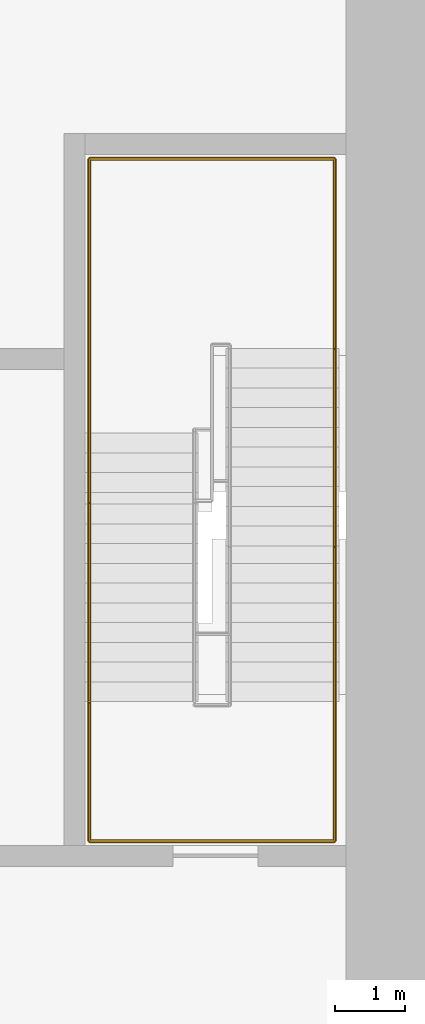
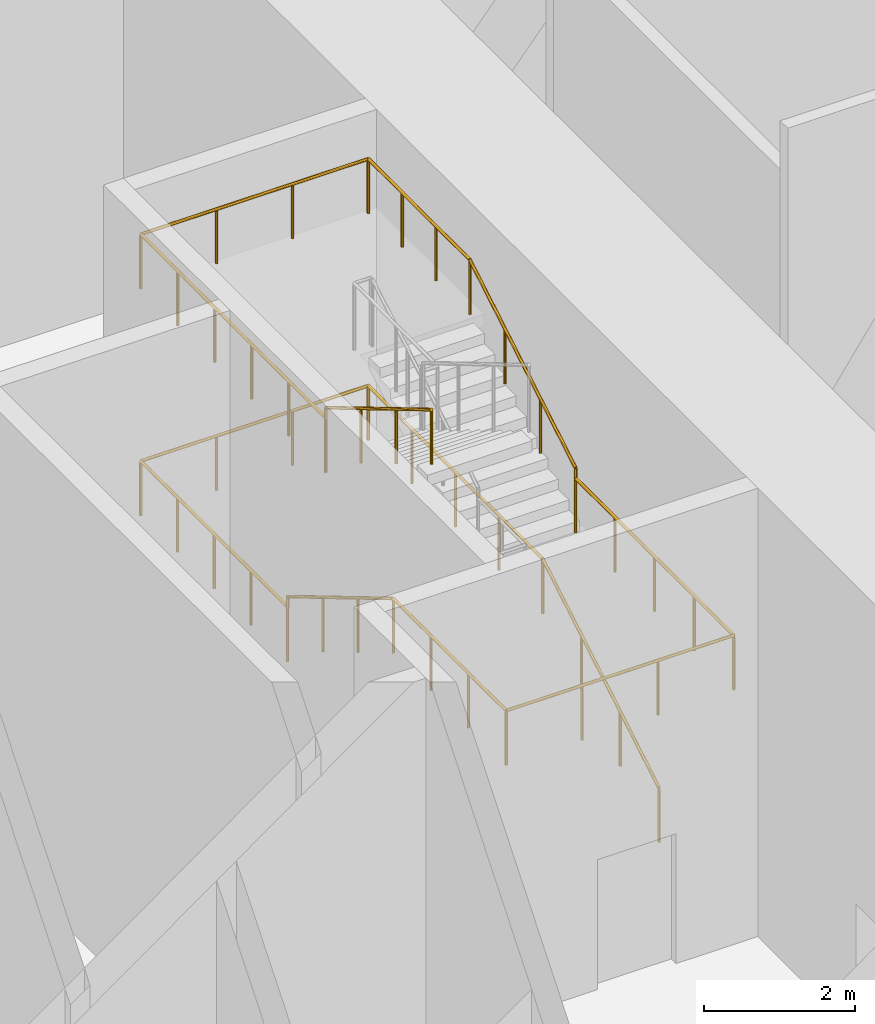
# One storey, part 20 of 20: 1 railing.
"""IFC4 building model written with IfcOpenShell, lengths in metres."""

from ifc_helpers import new_model, si_unit, direction, frame, origin, origin_2d, place, context, subcontext, project, spatial, circle, extrude, material, type_object, element, save


model = new_model("IFC4")

# Units and contexts
model_context = context("Model", 3, precision=1e-05, world=origin(), true_north=direction((0.0, 1.0)))
body_context = subcontext(model_context, "Body", "Model", "MODEL_VIEW")
ifc_project = project(units=[si_unit("LENGTHUNIT", "METRE"), si_unit("AREAUNIT", "SQUARE_METRE"), si_unit("VOLUMEUNIT", "CUBIC_METRE"), si_unit("PLANEANGLEUNIT", "RADIAN"), si_unit("MASSUNIT", "GRAM", prefix="KILO")], contexts=[model_context])

# Site, building, storey
site_placement = place(None, origin())
site = spatial("IfcSite", under=ifc_project, at=site_placement, CompositionType="ELEMENT")
building_placement = place(site_placement, origin())
building = spatial("IfcBuilding", under=site, at=building_placement, Name="Khuree Lantern Residences", CompositionType="ELEMENT")
storey_placement = place(building_placement, frame((0.0, 0.0, 99.75)))
storey = spatial("IfcBuildingStorey", under=building, at=storey_placement, Name="L25", CompositionType="ELEMENT", Elevation=99.75)

# Railing
ifc_material = material(Name="Steel S355", Category="steel")
railing_type = type_object("IfcRailingType", Name="STAIR HANDRAIL H1 900", PredefinedType="HANDRAIL", material=ifc_material)
railing_placement = place(storey_placement, frame((14.340087890625, -2.860107421875, 0.166748046875)))
element("IfcRailing", 1, at=railing_placement, inside=storey, type_object=railing_type, Name="Stair ST2 handrail", PredefinedType="HANDRAIL", context=body_context, shape_type="SweptSolid", body=[
    extrude(circle(Radius=0.02392578125, at=origin_2d()), frame((0.0, 0.0, 0.8759765625), z_axis=(0.0, 0.859308565015, 0.511457515432), x_axis=(-1.0, 0.0, 0.0)), (0.0, 0.0, 1.0), 3.58447265625),
    extrude(circle(Radius=0.02392578125, at=origin_2d()), frame((0.0, 3.080078125, 2.708984375), z_axis=(0.0, 1.0, 0.0), x_axis=(-1.0, 0.0, 0.0)), (0.0, 0.0, 1.0), 4.6201171875),
    extrude(circle(Radius=0.02392578125, at=origin_2d()), frame((0.0, 7.7001953125, 2.708984375), z_axis=(-1.0, 0.0, 0.0), x_axis=(0.0, -1.0, 0.0)), (0.0, 0.0, 1.0), 3.47998046875),
    extrude(circle(Radius=0.02392578125, at=origin_2d()), frame((-3.47998046875, 7.7001953125, 2.708984375), z_axis=(0.0, -1.0, 0.0), x_axis=(1.0, 0.0, 0.0)), (0.0, 0.0, 1.0), 3.89013671875),
    extrude(circle(Radius=0.02392578125, at=origin_2d()), frame((-3.47998046875, 3.81005859375, 2.708984375), z_axis=(0.0, 0.0, 1.0), x_axis=(1.0, 0.0, 0.0)), (0.0, 0.0, 1.0), 0.166748046875),
    extrude(circle(Radius=0.02392578125, at=origin_2d()), frame((-3.47998046875, 3.81005859375, 2.8759765625), z_axis=(0.0, -0.859318757487, 0.511440390497), x_axis=(1.0, 0.0, 0.0)), (0.0, 0.0, 1.0), 3.258544921875),
    extrude(circle(Radius=0.02392578125, at=origin_2d()), frame((-3.47998046875, 1.010009765625, 4.54248046875), z_axis=(0.0, -1.0, 0.0), x_axis=(1.0, 0.0, 0.0)), (0.0, 0.0, 1.0), 2.989990234375),
    extrude(circle(Radius=0.02392578125, at=origin_2d()), frame((-3.47998046875, -1.97998046875, 4.54248046875), z_axis=(1.0, 0.0, 0.0), x_axis=(0.0, 1.0, 0.0)), (0.0, 0.0, 1.0), 3.47998046875),
    extrude(circle(Radius=0.02392578125, at=origin_2d()), frame((0.0, -1.97998046875, 4.54248046875), z_axis=(0.0, 1.0, 0.0), x_axis=(-1.0, 0.0, 0.0)), (0.0, 0.0, 1.0), 4.190185546875),
    extrude(circle(Radius=0.02392578125, at=origin_2d()), frame((0.0, 2.210205078125, 4.54248046875), z_axis=(0.0, 0.0, 1.0), x_axis=(1.0, 0.0, 0.0)), (0.0, 0.0, 1.0), 0.166748046875),
    extrude(circle(Radius=0.02392578125, at=origin_2d()), frame((0.0, 2.210205078125, 4.708984375), z_axis=(0.0, 0.859266224305, 0.511528646088), x_axis=(-1.0, 0.0, 0.0)), (0.0, 0.0, 1.0), 3.25830078125),
    extrude(circle(Radius=0.02392578125, at=origin_2d()), frame((0.0, 5.010009765625, 6.3759765625), z_axis=(0.0, 1.0, 0.0), x_axis=(-1.0, 0.0, 0.0)), (0.0, 0.0, 1.0), 2.690185546875),
    extrude(circle(Radius=0.02392578125, at=origin_2d()), frame((0.0, 7.7001953125, 6.3759765625), z_axis=(-1.0, 0.0, 0.0), x_axis=(0.0, -1.0, 0.0)), (0.0, 0.0, 1.0), 3.47998046875),
    extrude(circle(Radius=0.02392578125, at=origin_2d()), frame((-3.47998046875, 7.7001953125, 6.3759765625), z_axis=(0.0, -1.0, 0.0), x_axis=(1.0, 0.0, 0.0)), (0.0, 0.0, 1.0), 4.900146484375),
    extrude(circle(Radius=0.02392578125, at=origin_2d()), frame((-3.47998046875, 2.800048828125, 6.3759765625), z_axis=(0.0, 0.0, 1.0), x_axis=(1.0, 0.0, 0.0)), (0.0, 0.0, 1.0), 0.16650390625),
    extrude(circle(Radius=0.02392578125, at=origin_2d()), frame((-3.47998046875, 2.800048828125, 6.54248046875), z_axis=(0.0, -0.859285828005, 0.511495714342), x_axis=(1.0, 0.0, 0.0)), (0.0, 0.0, 1.0), 3.258544921875),
    extrude(circle(Radius=0.02099609375, at=origin_2d()), origin(), (0.0, 0.0, 1.0), 0.851806640625),
    extrude(circle(Radius=0.02099609375, at=origin_2d()), frame((0.0, 1.026611328125, 0.611083984375)), (0.0, 0.0, 1.0), 0.851806640625),
    extrude(circle(Radius=0.02099609375, at=origin_2d()), frame((0.0, 2.053466796875, 1.22216796875)), (0.0, 0.0, 1.0), 0.851806640625),
    extrude(circle(Radius=0.02099609375, at=origin_2d()), frame((0.0, 3.080078125, 1.833251953125)), (0.0, 0.0, 1.0), 0.851806640625),
    extrude(circle(Radius=0.02099609375, at=origin_2d()), frame((0.0, 4.235107421875, 1.833251953125)), (0.0, 0.0, 1.0), 0.851806640625),
    extrude(circle(Radius=0.02099609375, at=origin_2d()), frame((0.0, 5.39013671875, 1.833251953125)), (0.0, 0.0, 1.0), 0.851806640625),
    extrude(circle(Radius=0.02099609375, at=origin_2d()), frame((0.0, 6.545166015625, 1.833251953125)), (0.0, 0.0, 1.0), 0.851806640625),
    extrude(circle(Radius=0.02099609375, at=origin_2d()), frame((0.0, 7.7001953125, 1.833251953125)), (0.0, 0.0, 1.0), 0.851806640625),
    extrude(circle(Radius=0.02099609375, at=origin_2d()), frame((-1.159912109375, 7.7001953125, 1.833251953125)), (0.0, 0.0, 1.0), 0.851806640625),
    extrude(circle(Radius=0.02099609375, at=origin_2d()), frame((-2.320068359375, 7.7001953125, 1.833251953125)), (0.0, 0.0, 1.0), 0.851806640625),
    extrude(circle(Radius=0.02099609375, at=origin_2d()), frame((-3.47998046875, 7.7001953125, 1.833251953125)), (0.0, 0.0, 1.0), 0.851806640625),
    extrude(circle(Radius=0.02099609375, at=origin_2d()), frame((-3.47998046875, 6.7275390625, 1.833251953125)), (0.0, 0.0, 1.0), 0.851806640625),
    extrude(circle(Radius=0.02099609375, at=origin_2d()), frame((-3.47998046875, 5.755126953125, 1.833251953125)), (0.0, 0.0, 1.0), 0.851806640625),
    extrude(circle(Radius=0.02099609375, at=origin_2d()), frame((-3.47998046875, 4.78271484375, 1.833251953125)), (0.0, 0.0, 1.0), 0.851806640625),
    extrude(circle(Radius=0.02099609375, at=origin_2d()), frame((-3.47998046875, 3.81005859375, 1.833251953125)), (0.0, 0.0, 1.0), 0.851806640625),
    extrude(circle(Radius=0.02099609375, at=origin_2d()), frame((-3.47998046875, 3.81005859375, 2.0)), (0.0, 0.0, 1.0), 0.851806640625),
    extrude(circle(Radius=0.02099609375, at=origin_2d()), frame((-3.47998046875, 2.876708984375, 2.555419921875)), (0.0, 0.0, 1.0), 0.851806640625),
    extrude(circle(Radius=0.02099609375, at=origin_2d()), frame((-3.47998046875, 1.943359375, 3.111083984375)), (0.0, 0.0, 1.0), 0.851806640625),
    extrude(circle(Radius=0.02099609375, at=origin_2d()), frame((-3.47998046875, 1.010009765625, 3.66650390625)), (0.0, 0.0, 1.0), 0.851806640625),
    extrude(circle(Radius=0.02099609375, at=origin_2d()), frame((-3.47998046875, 0.013427734375, 3.66650390625)), (0.0, 0.0, 1.0), 0.851806640625),
    extrude(circle(Radius=0.02099609375, at=origin_2d()), frame((-3.47998046875, -0.9833984375, 3.66650390625)), (0.0, 0.0, 1.0), 0.851806640625),
    extrude(circle(Radius=0.02099609375, at=origin_2d()), frame((-3.47998046875, -1.97998046875, 3.66650390625)), (0.0, 0.0, 1.0), 0.851806640625),
    extrude(circle(Radius=0.02099609375, at=origin_2d()), frame((-2.320068359375, -1.97998046875, 3.66650390625)), (0.0, 0.0, 1.0), 0.851806640625),
    extrude(circle(Radius=0.02099609375, at=origin_2d()), frame((-1.159912109375, -1.97998046875, 3.66650390625)), (0.0, 0.0, 1.0), 0.851806640625),
    extrude(circle(Radius=0.02099609375, at=origin_2d()), frame((0.0, -1.97998046875, 3.66650390625)), (0.0, 0.0, 1.0), 0.851806640625),
    extrude(circle(Radius=0.02099609375, at=origin_2d()), frame((0.0, -0.932373046875, 3.66650390625)), (0.0, 0.0, 1.0), 0.851806640625),
    extrude(circle(Radius=0.02099609375, at=origin_2d()), frame((0.0, 0.115234375, 3.66650390625)), (0.0, 0.0, 1.0), 0.851806640625),
    extrude(circle(Radius=0.02099609375, at=origin_2d()), frame((0.0, 1.16259765625, 3.66650390625)), (0.0, 0.0, 1.0), 0.851806640625),
    extrude(circle(Radius=0.02099609375, at=origin_2d()), frame((0.0, 2.210205078125, 3.66650390625)), (0.0, 0.0, 1.0), 0.851806640625),
    extrude(circle(Radius=0.02099609375, at=origin_2d()), frame((0.0, 2.210205078125, 3.833251953125)), (0.0, 0.0, 1.0), 0.851806640625),
    extrude(circle(Radius=0.02099609375, at=origin_2d()), frame((0.0, 3.1435546875, 4.388916015625)), (0.0, 0.0, 1.0), 0.851806640625),
    extrude(circle(Radius=0.02099609375, at=origin_2d()), frame((0.0, 4.07666015625, 4.9443359375)), (0.0, 0.0, 1.0), 0.851806640625),
    extrude(circle(Radius=0.02099609375, at=origin_2d()), frame((0.0, 5.010009765625, 5.5)), (0.0, 0.0, 1.0), 0.851806640625),
    extrude(circle(Radius=0.02099609375, at=origin_2d()), frame((0.0, 5.90673828125, 5.5)), (0.0, 0.0, 1.0), 0.851806640625),
    extrude(circle(Radius=0.02099609375, at=origin_2d()), frame((0.0, 6.803466796875, 5.5)), (0.0, 0.0, 1.0), 0.851806640625),
    extrude(circle(Radius=0.02099609375, at=origin_2d()), frame((0.0, 7.7001953125, 5.5)), (0.0, 0.0, 1.0), 0.851806640625),
    extrude(circle(Radius=0.02099609375, at=origin_2d()), frame((-1.159912109375, 7.7001953125, 5.5)), (0.0, 0.0, 1.0), 0.851806640625),
    extrude(circle(Radius=0.02099609375, at=origin_2d()), frame((-2.320068359375, 7.7001953125, 5.5)), (0.0, 0.0, 1.0), 0.851806640625),
    extrude(circle(Radius=0.02099609375, at=origin_2d()), frame((-3.47998046875, 7.7001953125, 5.5)), (0.0, 0.0, 1.0), 0.851806640625),
    extrude(circle(Radius=0.02099609375, at=origin_2d()), frame((-3.47998046875, 6.72021484375, 5.5)), (0.0, 0.0, 1.0), 0.851806640625),
    extrude(circle(Radius=0.02099609375, at=origin_2d()), frame((-3.47998046875, 5.740234375, 5.5)), (0.0, 0.0, 1.0), 0.851806640625),
    extrude(circle(Radius=0.02099609375, at=origin_2d()), frame((-3.47998046875, 4.760009765625, 5.5)), (0.0, 0.0, 1.0), 0.851806640625),
    extrude(circle(Radius=0.02099609375, at=origin_2d()), frame((-3.47998046875, 3.780029296875, 5.5)), (0.0, 0.0, 1.0), 0.851806640625),
    extrude(circle(Radius=0.02099609375, at=origin_2d()), frame((-3.47998046875, 2.800048828125, 5.5)), (0.0, 0.0, 1.0), 0.851806640625),
    extrude(circle(Radius=0.02099609375, at=origin_2d()), frame((-3.47998046875, 2.800048828125, 5.66650390625)), (0.0, 0.0, 1.0), 0.851806640625),
    extrude(circle(Radius=0.02099609375, at=origin_2d()), frame((-3.47998046875, 1.86669921875, 6.22216796875)), (0.0, 0.0, 1.0), 0.851806640625),
    extrude(circle(Radius=0.02099609375, at=origin_2d()), frame((-3.47998046875, 0.933349609375, 6.777587890625)), (0.0, 0.0, 1.0), 0.851806640625),
    extrude(circle(Radius=0.02099609375, at=origin_2d()), frame((-3.47998046875, 0.0, 7.333251953125)), (0.0, 0.0, 1.0), 0.851806640625),
])

save(model, "model.ifc")
